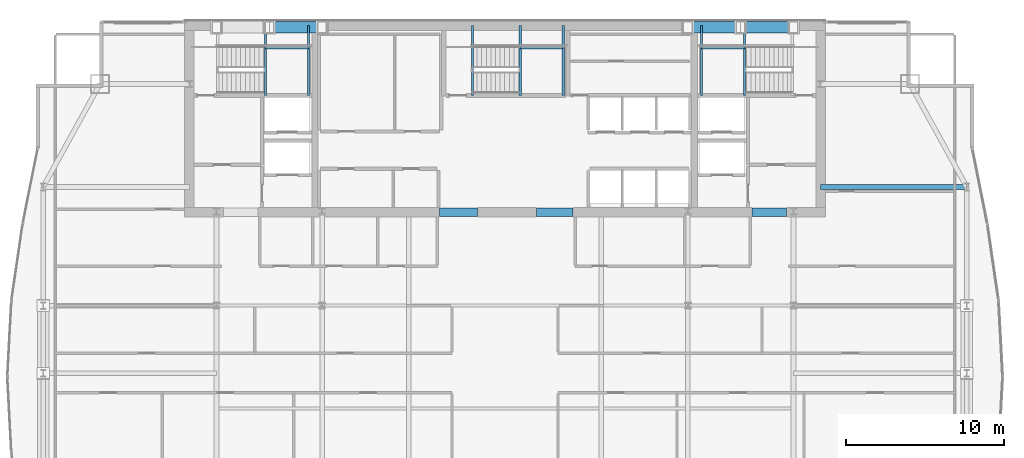
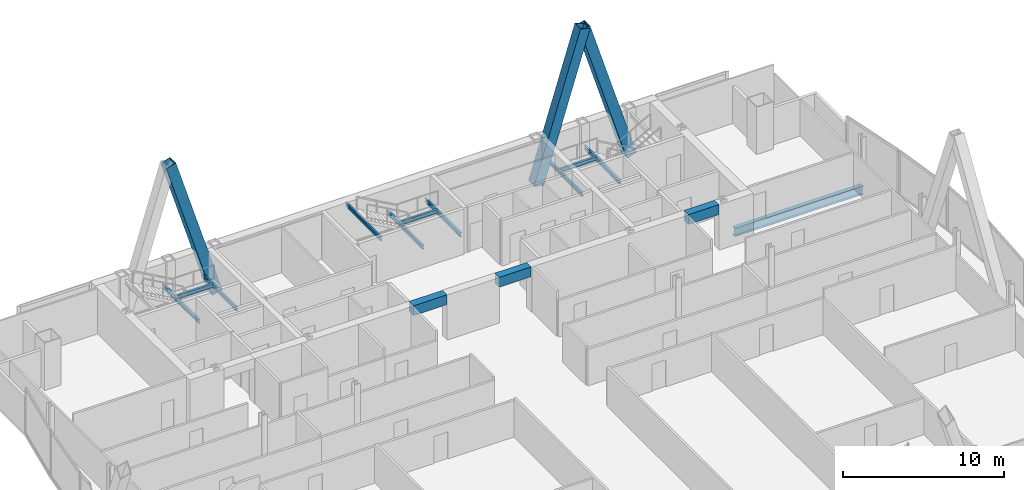
# One storey, part 24 of 32: 14 beams, 3 members.
"""IFC4 building model written with IfcOpenShell, lengths in metres."""

import ifcopenshell
import ifcopenshell.guid

model = None  # the IFC model being written
_history = None  # IfcOwnerHistory: only IFC2X3 demands one
_inside = {}  # id of a spatial element -> (the spatial element, [elements in it])
_under = {}  # id of a project, library or spatial element -> (it, [spatial elements below it])
_declared = {}  # id of a project -> (the project, [libraries it declares])
_typed = {}  # id of a type object -> (the type object, [elements of that type])
_made_of = {}  # id of a material, layer set ... -> (it, [elements and type objects made of it])


def new_model(schema):
    """Start an empty IFC model of exactly this schema.

    Asked for "IFC4X3", IfcOpenShell would pick the latest addendum, in which some entities
    have other attributes; the version numbers below select the first issue.
    IFC2X3 requires an IfcOwnerHistory on every rooted entity: one is made here for all.
    """
    global model, _history
    if schema == "IFC4X3":
        model = ifcopenshell.file(schema_version=(4, 3, 0, 0))
    else:
        model = ifcopenshell.file(schema=schema)
    _inside.clear()
    _under.clear()
    _declared.clear()
    _typed.clear()
    _made_of.clear()
    _history = None
    if model.schema == "IFC2X3":
        org = make("IfcOrganization", Name="unknown")
        user = make(
            "IfcPersonAndOrganization",
            ThePerson=make("IfcPerson", FamilyName="unknown"),
            TheOrganization=org,
        )
        app = make(
            "IfcApplication",
            ApplicationDeveloper=org,
            Version="unknown",
            ApplicationFullName="unknown",
            ApplicationIdentifier="unknown",
        )
        _history = make(
            "IfcOwnerHistory",
            OwningUser=user,
            OwningApplication=app,
            ChangeAction="ADDED",
            CreationDate=0,
        )
    return model


def make(cls, **values):
    """One entity of the class cls with the attributes given. An attribute that is None is left unset."""
    return model.create_entity(
        cls, **{name: value for name, value in values.items() if value is not None}
    )


def rooted(cls, **values):
    """An entity with a GlobalId (a new one), such as an element, a storey or a relation."""
    return make(cls, GlobalId=ifcopenshell.guid.new(), OwnerHistory=_history, **values)


def si_unit(unit_type, name, prefix=None):
    """IfcSIUnit, for example si_unit("LENGTHUNIT", "METRE", prefix="MILLI")."""
    return make("IfcSIUnit", UnitType=unit_type, Prefix=prefix, Name=name)


def assignment(units):
    """IfcUnitAssignment: the units of a project."""
    return None if units is None else make("IfcUnitAssignment", Units=units)


def point(xyz):
    """IfcCartesianPoint."""
    return None if xyz is None else make("IfcCartesianPoint", Coordinates=xyz)


def direction(xyz):
    """IfcDirection."""
    return None if xyz is None else make("IfcDirection", DirectionRatios=xyz)


def frame(location, z_axis=None, x_axis=None):
    """IfcAxis2Placement3D, a coordinate frame: its origin and axes. An axis left out is left unset."""
    return make(
        "IfcAxis2Placement3D",
        Location=point(location),
        Axis=direction(z_axis),
        RefDirection=direction(x_axis),
    )


def frame_2d(location, x_axis=None):
    """IfcAxis2Placement2D, a coordinate frame in the plane: its origin and x axis."""
    return make(
        "IfcAxis2Placement2D", Location=point(location), RefDirection=direction(x_axis)
    )


def origin():
    """The frame at (0, 0, 0) with its axes left unset."""
    return frame((0.0, 0.0, 0.0))


def origin_2d():
    """The frame at (0, 0) in the plane with its x axis left unset."""
    return frame_2d((0.0, 0.0))


def place(relative_to, where):
    """IfcLocalPlacement: puts the frame where relative to a parent placement (None: the world)."""
    return make(
        "IfcLocalPlacement", PlacementRelTo=relative_to, RelativePlacement=where
    )


def context(
    kind, dimensions, precision=None, world=None, true_north=None, identifier=None
):
    """IfcGeometricRepresentationContext, for example the 3D "Model" context."""
    return make(
        "IfcGeometricRepresentationContext",
        ContextIdentifier=identifier,
        ContextType=kind,
        CoordinateSpaceDimension=dimensions,
        Precision=precision,
        WorldCoordinateSystem=world,
        TrueNorth=true_north,
    )


def subcontext(parent, identifier, kind, view, scale=None):
    """IfcGeometricRepresentationSubContext, for example "Body" below "Model"."""
    return make(
        "IfcGeometricRepresentationSubContext",
        ContextIdentifier=identifier,
        ContextType=kind,
        ParentContext=parent,
        TargetScale=scale,
        TargetView=view,
    )


def project(units=None, contexts=None):
    """IfcProject with its units and contexts."""
    return rooted(
        "IfcProject",
        Name="project",
        RepresentationContexts=contexts,
        UnitsInContext=assignment(units),
    )


def spatial(cls, under=None, at=None, **own):
    """A site, building, storey or space (cls), placed at a placement, below another one or the project."""
    s = rooted(cls, ObjectPlacement=at, **own)
    if under is not None:
        _under.setdefault(under.id(), (under, []))[1].append(s)
    return s


def profile(cls, at=None, kind="AREA", **sizes):
    """A parametric profile (cls). Its sizes go by their IFC names, for example OverallWidth=200.0."""
    return make(cls, ProfileType=kind, Position=at, **sizes)


def rectangle(**sizes):
    """IfcRectangleProfileDef."""
    return profile("IfcRectangleProfileDef", **sizes)


def hollow_rectangle(**sizes):
    """IfcRectangleHollowProfileDef."""
    return profile("IfcRectangleHollowProfileDef", **sizes)


def i_section(**sizes):
    """IfcIShapeProfileDef."""
    return profile("IfcIShapeProfileDef", **sizes)


def extrude(swept, where, along, depth):
    """IfcExtrudedAreaSolid: the profile swept, set in the frame where, extruded along a direction by depth."""
    return make(
        "IfcExtrudedAreaSolid",
        SweptArea=swept,
        Position=where,
        ExtrudedDirection=direction(along),
        Depth=depth,
    )


def shape(context_of_items, identifier, shape_type, items):
    """IfcShapeRepresentation: the items that make up one representation, for example the "Body"."""
    return make(
        "IfcShapeRepresentation",
        ContextOfItems=context_of_items,
        RepresentationIdentifier=identifier,
        RepresentationType=shape_type,
        Items=items,
    )


def material(Name=None, Category=None):
    """IfcMaterial."""
    return make("IfcMaterial", Name=Name, Category=Category)


def material_profile(
    of_material, cross_section, Name=None, Category=None, Priority=None
):
    """IfcMaterialProfile: a cross section and its material."""
    return make(
        "IfcMaterialProfile",
        Name=Name,
        Material=of_material,
        Profile=cross_section,
        Priority=Priority,
        Category=Category,
    )


def profile_set(profiles, Name=None, composite=None):
    """IfcMaterialProfileSet."""
    return make(
        "IfcMaterialProfileSet",
        Name=Name,
        MaterialProfiles=profiles,
        CompositeProfile=composite,
    )


def made_of(thing, what):
    """Note that an element or type object is made of a material, layer set ...; save() writes the relation."""
    if what is not None:
        _made_of.setdefault(what.id(), (what, []))[1].append(thing)
    return thing


def type_object(cls, material=None, **own):
    """A type object (cls), such as IfcWallType, which elements share."""
    return made_of(rooted(cls, **own), material)


def element(
    cls,
    number,
    at=None,
    inside=None,
    cuts=None,
    type_object=None,
    material=None,
    context=None,
    identifier="Body",
    shape_type=None,
    held_by="IfcProductDefinitionShape",
    body=None,
    shapes=None,
    **own,
):
    """One element of the class cls, such as IfcWall. Its Tag is "e" and its number.

    at: its placement. inside: the storey or other place that contains it. cuts: it is an
    opening in that element (IfcRelVoidsElement). A single representation is given by context,
    identifier, shape_type and body (its items); several are given by shapes. held_by: the class
    of the entity that holds the representations. save() writes the other relations.
    """
    e = rooted(cls, Tag="e%d" % number, ObjectPlacement=at, **own)
    if body is not None:
        shapes = [shape(context, identifier, shape_type, body)]
    if shapes is not None:
        e.Representation = make(held_by, Representations=shapes)
    if inside is not None:
        _inside.setdefault(inside.id(), (inside, []))[1].append(e)
    if cuts is not None:
        rooted(
            "IfcRelVoidsElement", RelatingBuildingElement=cuts, RelatedOpeningElement=e
        )
    if type_object is not None:
        _typed.setdefault(type_object.id(), (type_object, []))[1].append(e)
    return made_of(e, material)


def aggregate(whole, parts):
    """IfcRelAggregates: a whole, such as a stair, and the parts it consists of."""
    return rooted("IfcRelAggregates", RelatingObject=whole, RelatedObjects=parts)


def save(model, path):
    """Write the relations noted so far, then the file.

    IfcRelAggregates (storeys below a building ...), IfcRelContainedInSpatialStructure (elements
    in a storey), IfcRelDefinesByType, IfcRelAssociatesMaterial and IfcRelDeclares: one each for
    every whole, place, type object, material and project.
    """
    for whole, parts in _under.values():
        aggregate(whole, parts)
    for where, things in _inside.values():
        rooted(
            "IfcRelContainedInSpatialStructure",
            RelatedElements=things,
            RelatingStructure=where,
        )
    for kind, things in _typed.values():
        rooted("IfcRelDefinesByType", RelatedObjects=things, RelatingType=kind)
    for what, things in _made_of.values():
        rooted("IfcRelAssociatesMaterial", RelatedObjects=things, RelatingMaterial=what)
    for by, libraries in _declared.values():
        rooted("IfcRelDeclares", RelatingContext=by, RelatedDefinitions=libraries)
    model.write(path)


model = new_model("IFC4")

# Units and contexts
model_context = context("Model", 3, precision=1e-05, world=origin(), true_north=direction((0.0, 1.0)))
body_context = subcontext(model_context, "Body", "Model", "MODEL_VIEW")
ifc_project = project(units=[si_unit("LENGTHUNIT", "METRE"), si_unit("AREAUNIT", "SQUARE_METRE"), si_unit("VOLUMEUNIT", "CUBIC_METRE"), si_unit("PLANEANGLEUNIT", "RADIAN"), si_unit("MASSUNIT", "GRAM", prefix="KILO")], contexts=[model_context])

# Site, building, storey
site_placement = place(None, origin())
site = spatial("IfcSite", under=ifc_project, at=site_placement, CompositionType="ELEMENT")
building_placement = place(site_placement, origin())
building = spatial("IfcBuilding", under=site, at=building_placement, Name="Khoronbel Lancet Exchange", CompositionType="ELEMENT")
storey_placement = place(building_placement, frame((0.0, 0.0, 221.0)))
storey = spatial("IfcBuildingStorey", under=building, at=storey_placement, Name="L56", CompositionType="ELEMENT", Elevation=221.0)

# Beams
ifc_material_1 = material(Name="Steel S355", Category="steel")
ifc_material_profile_1 = material_profile(ifc_material_1, i_section(OverallWidth=0.300048828125, OverallDepth=0.64990234375, WebThickness=0.01611328125, FlangeThickness=0.031005859375, at=origin_2d()), Name="HEB 650")
ifc_profile_set_1 = profile_set([ifc_material_profile_1], Name="Steel S355")
beam_type_1 = type_object("IfcBeamType", Name="BM-BG4", PredefinedType="BEAM", material=ifc_profile_set_1)
beam_1_placement = place(storey_placement, frame((56.39990234375, 43.199951171875, -0.485107421875), z_axis=(1.0, 0.0, 0.0), x_axis=(0.0, 1.0, 0.0)))
element("IfcBeam", 1, at=beam_1_placement, inside=storey, type_object=beam_type_1, Name="Level L56 east lens tie girder LG3E", PredefinedType="BEAM", context=body_context, shape_type="SweptSolid", body=[
    extrude(i_section(OverallWidth=0.300048828125, OverallDepth=0.64990234375, WebThickness=0.01611328125, FlangeThickness=0.031005859375, at=origin_2d()), origin(), (0.0, 0.0, 1.0), 9.22998046875),
])
ifc_material_profile_2 = material_profile(ifc_material_1, i_section(OverallWidth=0.14990234375, OverallDepth=0.300048828125, WebThickness=0.007080078125, FlangeThickness=0.0107421875, at=origin_2d()), Name="IPE 300")
ifc_profile_set_2 = profile_set([ifc_material_profile_2], Name="Steel S355")
beam_type_2 = type_object("IfcBeamType", Name="BM-BJ8", PredefinedType="JOIST", material=ifc_profile_set_2)
for number, where, z_axis, x_axis, name in (
    (2, (21.320068359375, 48.97998046875, 1.449951171875), (0.0, 1.0, 0.0), (-1.0, 0.0, 0.0), "Level L56 stair ST1 landing bearer beam 1"),
    (3, (24.030029296875, 48.97998046875, 1.449951171875), (0.0, 1.0, 0.0), (-1.0, 0.0, 0.0), "Level L56 stair ST1 rear landing bearer beam 1"),
):
    element("IfcBeam", number, at=place(storey_placement, frame(where, z_axis=z_axis, x_axis=x_axis)), inside=storey, type_object=beam_type_2, Name=name, PredefinedType="JOIST", context=body_context, shape_type="SweptSolid", body=[
        extrude(i_section(OverallWidth=0.14990234375, OverallDepth=0.300048828125, WebThickness=0.007080078125, FlangeThickness=0.0107421875, at=origin_2d()), origin(), (0.0, 0.0, 1.0), 4.419921875),
    ])
beam_2_placement = place(storey_placement, frame((21.320068359375, 51.97998046875, 1.449951171875), z_axis=(1.0, 0.0, 0.0), x_axis=(0.0, 1.0, 0.0)))
element("IfcBeam", 4, at=beam_2_placement, inside=storey, type_object=beam_type_2, Name="Level L56 stair ST1 landing cross trimmer beam 1", PredefinedType="JOIST", context=body_context, shape_type="SweptSolid", body=[
    extrude(i_section(OverallWidth=0.14990234375, OverallDepth=0.300048828125, WebThickness=0.007080078125, FlangeThickness=0.0107421875, at=origin_2d()), origin(), (0.0, 0.0, 1.0), 2.7099609375),
])
for number, where, z_axis, x_axis, name in (
    (5, (51.580078125, 48.97998046875, 1.449951171875), (0.0, 1.0, 0.0), (-1.0, 0.0, 0.0), "Level L56 stair ST2 landing bearer beam 1"),
    (6, (48.8701171875, 48.97998046875, 1.449951171875), (0.0, 1.0, 0.0), (-1.0, 0.0, 0.0), "Level L56 stair ST2 rear landing bearer beam 1"),
):
    element("IfcBeam", number, at=place(storey_placement, frame(where, z_axis=z_axis, x_axis=x_axis)), inside=storey, type_object=beam_type_2, Name=name, PredefinedType="JOIST", context=body_context, shape_type="SweptSolid", body=[
        extrude(i_section(OverallWidth=0.14990234375, OverallDepth=0.300048828125, WebThickness=0.007080078125, FlangeThickness=0.0107421875, at=origin_2d()), origin(), (0.0, 0.0, 1.0), 4.419921875),
    ])
beam_3_placement = place(storey_placement, frame((48.8701171875, 51.97998046875, 1.449951171875), z_axis=(1.0, 0.0, 0.0), x_axis=(0.0, 1.0, 0.0)))
element("IfcBeam", 7, at=beam_3_placement, inside=storey, type_object=beam_type_2, Name="Level L56 stair ST2 landing cross trimmer beam 1", PredefinedType="JOIST", context=body_context, shape_type="SweptSolid", body=[
    extrude(i_section(OverallWidth=0.14990234375, OverallDepth=0.300048828125, WebThickness=0.007080078125, FlangeThickness=0.0107421875, at=origin_2d()), origin(), (0.0, 0.0, 1.0), 2.7099609375),
])
for number, where, z_axis, x_axis, name in (
    (8, (37.419921875, 48.97998046875, 1.449951171875), (0.0, 1.0, 0.0), (-1.0, 0.0, 0.0), "Level L56 stair ST3 landing bearer beam 1"),
    (9, (40.1298828125, 48.97998046875, 1.449951171875), (0.0, 1.0, 0.0), (-1.0, 0.0, 0.0), "Level L56 stair ST3 rear landing bearer beam 1"),
):
    element("IfcBeam", number, at=place(storey_placement, frame(where, z_axis=z_axis, x_axis=x_axis)), inside=storey, type_object=beam_type_2, Name=name, PredefinedType="JOIST", context=body_context, shape_type="SweptSolid", body=[
        extrude(i_section(OverallWidth=0.14990234375, OverallDepth=0.300048828125, WebThickness=0.007080078125, FlangeThickness=0.0107421875, at=origin_2d()), origin(), (0.0, 0.0, 1.0), 4.419921875),
    ])
beam_4_placement = place(storey_placement, frame((37.419921875, 51.97998046875, 1.449951171875), z_axis=(1.0, 0.0, 0.0), x_axis=(0.0, 1.0, 0.0)))
element("IfcBeam", 10, at=beam_4_placement, inside=storey, type_object=beam_type_2, Name="Level L56 stair ST3 landing cross trimmer beam 1", PredefinedType="JOIST", context=body_context, shape_type="SweptSolid", body=[
    extrude(i_section(OverallWidth=0.14990234375, OverallDepth=0.300048828125, WebThickness=0.007080078125, FlangeThickness=0.0107421875, at=origin_2d()), origin(), (0.0, 0.0, 1.0), 2.7099609375),
])
beam_5_placement = place(storey_placement, frame((34.39990234375, 48.97998046875, 3.159912109375), z_axis=(0.0, 1.0, 0.0), x_axis=(-1.0, 0.0, 0.0)))
element("IfcBeam", 11, at=beam_5_placement, inside=storey, type_object=beam_type_2, Name="Level L56 stair ST3 upper-flight arrival trimmer beam", PredefinedType="JOIST", context=body_context, shape_type="SweptSolid", body=[
    extrude(i_section(OverallWidth=0.14990234375, OverallDepth=0.300048828125, WebThickness=0.007080078125, FlangeThickness=0.0107421875, at=origin_2d()), origin(), (0.0, 0.0, 1.0), 4.419921875),
])
ifc_material_2 = material(Name="Concrete C60/75", Category="concrete")
ifc_material_profile_3 = material_profile(ifc_material_2, rectangle(XDim=0.550048828125, YDim=0.75, at=origin_2d()), Name="RC 550x750")
ifc_profile_set_3 = profile_set([ifc_material_profile_3], Name="Concrete C60/75")
beam_type_3 = type_object("IfcBeamType", Name="BM-BL2", PredefinedType="LINTEL", material=ifc_profile_set_3)
beam_6_placement = place(storey_placement, frame((32.300048828125, 41.60009765625, 3.06494140625), z_axis=(1.0, 0.0, 0.0), x_axis=(0.0, 1.0, 0.0)))
element("IfcBeam", 12, at=beam_6_placement, inside=storey, type_object=beam_type_3, Name="Level L56 rear core coupling lintel L2", PredefinedType="LINTEL", context=body_context, shape_type="SweptSolid", body=[
    extrude(rectangle(XDim=0.550048828125, YDim=0.75, at=origin_2d()), origin(), (0.0, 0.0, 1.0), 2.39990234375),
])
beam_7_placement = place(storey_placement, frame((38.449951171875, 41.60009765625, 3.06494140625), z_axis=(1.0, 0.0, 0.0), x_axis=(0.0, 1.0, 0.0)))
element("IfcBeam", 13, at=beam_7_placement, inside=storey, type_object=beam_type_3, Name="Level L56 rear core coupling lintel L3", PredefinedType="LINTEL", context=body_context, shape_type="SweptSolid", body=[
    extrude(rectangle(XDim=0.550048828125, YDim=0.75, at=origin_2d()), origin(), (0.0, 0.0, 1.0), 2.300048828125),
])
beam_8_placement = place(storey_placement, frame((52.050048828125, 41.60009765625, 3.06494140625), z_axis=(1.0, 0.0, 0.0), x_axis=(0.0, 1.0, 0.0)))
element("IfcBeam", 14, at=beam_8_placement, inside=storey, type_object=beam_type_3, Name="Level L56 rear core coupling lintel L4", PredefinedType="LINTEL", context=body_context, shape_type="SweptSolid", body=[
    extrude(rectangle(XDim=0.550048828125, YDim=0.75, at=origin_2d()), origin(), (0.0, 0.0, 1.0), 2.199951171875),
])

# Members
ifc_material_3 = material(Name="Steel S460", Category="steel")
ifc_material_profile_4 = material_profile(ifc_material_3, hollow_rectangle(XDim=0.719970703125, YDim=0.719970703125, WallThickness=0.050048828125, at=origin_2d()), Name="BOX 720x720x50")
ifc_profile_set_4 = profile_set([ifc_material_profile_4], Name="Steel S460")
member_type = type_object("IfcMemberType", Name="MEM-MB2", PredefinedType="BRACE", material=ifc_profile_set_4)
for number, where, z_axis, x_axis, name in (
    (15, (24.89990234375, 53.280029296875, 0.0), (-0.295242108906, 0.0, 0.955422470496), (0.0, -1.0, 0.0), "Perimeter lancet brace tier 19 N-W-R"),
    (16, (48.0, 53.280029296875, 0.0), (0.295242108906, 0.0, 0.955422470496), (0.0, 1.0, 0.0), "Perimeter lancet brace tier 19 N-E-L"),
    (17, (54.675048828125, 53.280029296875, 0.0), (-0.295261823895, 0.0, 0.955416378), (0.0, -1.0, 0.0), "Perimeter lancet brace tier 19 N-E-R"),
):
    element("IfcMember", number, at=place(storey_placement, frame(where, z_axis=z_axis, x_axis=x_axis)), inside=storey, type_object=member_type, Name=name, PredefinedType="BRACE", context=body_context, shape_type="SweptSolid", body=[
        extrude(hollow_rectangle(XDim=0.719970703125, YDim=0.719970703125, WallThickness=0.050048828125, at=origin_2d()), origin(), (0.0, 0.0, 1.0), 11.303955078125),
    ])

save(model, "model.ifc")
